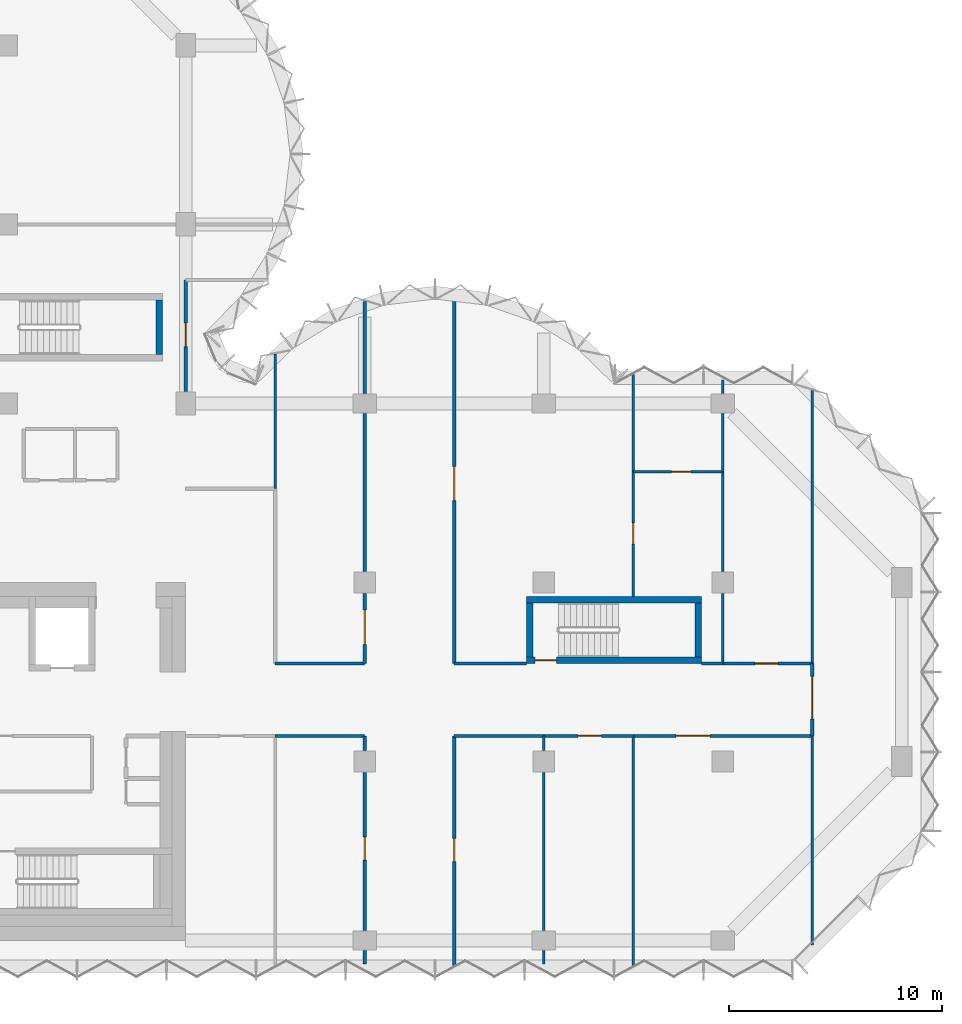
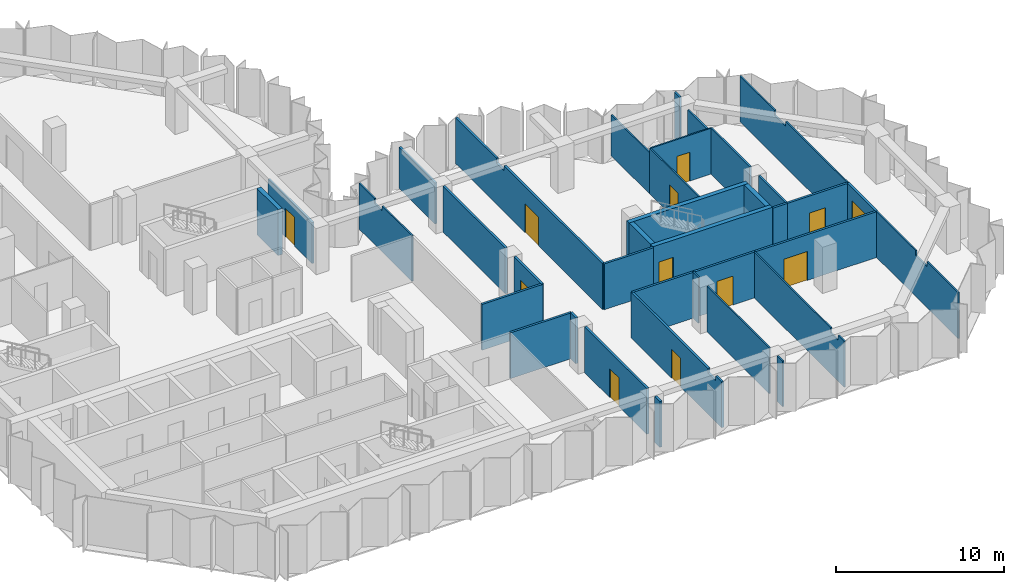
# One storey, part 7 of 10: 37 walls, 12 doors, 12 openings.
"""IFC4 building model written with IfcOpenShell, lengths in metres."""

from ifc_helpers import new_model, si_unit, direction, frame, frame_2d, origin, place, context, subcontext, project, spatial, polyline, rectangle, outline, extrude, material, layer, layer_set, type_object, element, fill, save


model = new_model("IFC4")

# Units and contexts
model_context = context("Model", 3, precision=1e-05, world=origin(), true_north=direction((0.0, 1.0)))
body_context = subcontext(model_context, "Body", "Model", "MODEL_VIEW")
ifc_project = project(units=[si_unit("LENGTHUNIT", "METRE"), si_unit("AREAUNIT", "SQUARE_METRE"), si_unit("VOLUMEUNIT", "CUBIC_METRE"), si_unit("PLANEANGLEUNIT", "RADIAN"), si_unit("MASSUNIT", "GRAM", prefix="KILO")], contexts=[model_context])

# Site, building, storey
site_placement = place(None, origin())
site = spatial("IfcSite", under=ifc_project, at=site_placement, CompositionType="ELEMENT")
building_placement = place(site_placement, origin())
building = spatial("IfcBuilding", under=site, at=building_placement, Name="Brevane Broadcast Tower", CompositionType="ELEMENT")
storey_placement = place(building_placement, frame((0.0, 0.0, 166.800048828125)))
storey = spatial("IfcBuildingStorey", under=building, at=storey_placement, Name="L41", CompositionType="ELEMENT", Elevation=166.800048828125)

# Wall
ifc_material_1 = material(Name="Concrete C60/75", Category="concrete")
ifc_layer_1 = layer(ifc_material_1, 0.300048828125)
ifc_layer_set_1 = layer_set([ifc_layer_1], Name="Core wall 300 mm C60/75")
wall_type_1 = type_object("IfcWallType", Name="Core wall 300 mm C60/75", PredefinedType="SHEAR", material=ifc_layer_set_1)
wall_1_placement = place(storey_placement, frame((23.949951171875, 27.5, 0.0), z_axis=(0.0, 0.0, 1.0), x_axis=(0.0, 1.0, 0.0)))
element("IfcWall", 1, at=wall_1_placement, inside=storey, type_object=wall_type_1, Name="L41 stair wall ST-3-E", PredefinedType="SHEAR", context=body_context, shape_type="SweptSolid", body=[
    extrude(rectangle(XDim=2.550048828125, YDim=0.300048828125, at=frame_2d((1.27490234375, 0.0))), origin(), (0.0, 0.0, 1.0), 3.349853515625),
])

# Wall, opening, door
wall_2_placement = place(storey_placement, frame((49.39990234375, 13.14990234375, 0.0), z_axis=(0.0, 0.0, 1.0), x_axis=(-1.0, 0.0, 0.0)))
wall_2 = element("IfcWall", 2, at=wall_2_placement, inside=storey, type_object=wall_type_1, Name="L41 stair wall ST-4-S", PredefinedType="SHEAR", context=body_context, shape_type="SweptSolid", body=[
    extrude(rectangle(XDim=8.199951171875, YDim=0.300048828125, at=frame_2d((4.10009765625, 0.0))), origin(), (0.0, 0.0, 1.0), 3.349853515625),
])
opening_1_placement = place(wall_2_placement, frame((6.800048828125, 0.0, 0.0)))
opening_1 = element("IfcOpeningElement", 3, at=opening_1_placement, cuts=wall_2, Name="Opening L41-K13", PredefinedType="OPENING", context=body_context, shape_type="SweptSolid", body=[
    extrude(rectangle(XDim=1.0, YDim=2.10009765625, at=frame_2d((0.5, 1.050048828125))), frame((0.0, 0.159912109375, 0.0), z_axis=(0.0, -1.0, 0.0), x_axis=(1.0, 0.0, 0.0)), (0.0, 0.0, 1.0), 0.320068359375),
])
ifc_material_2 = material(Name="Steel", Category="steel")
door_type_1 = type_object("IfcDoorType", Name="Stair door 1000 x 2100", OperationType="SINGLE_SWING_LEFT", PredefinedType="DOOR", material=ifc_material_2)
door_1_placement = place(opening_1_placement, origin())
door_1 = element("IfcDoor", 4, at=door_1_placement, inside=storey, type_object=door_type_1, Name="Door L41-K13", OperationType="SINGLE_SWING_LEFT", OverallHeight=2.10009765625, OverallWidth=1.0, PredefinedType="DOOR", context=body_context, shape_type="SweptSolid", body=[
    extrude(rectangle(XDim=1.0, YDim=2.10009765625, at=frame_2d((0.5, 1.050048828125))), frame((0.0, 0.02490234375, 0.0), z_axis=(0.0, -1.0, 0.0), x_axis=(1.0, 0.0, 0.0)), (0.0, 0.0, 1.0), 0.050048828125),
])
fill(opening_1, door_1)

# Walls
wall_3_placement = place(storey_placement, frame((41.199951171875, 16.0, 0.0), z_axis=(0.0, 0.0, 1.0), x_axis=(1.0, 0.0, 0.0)))
element("IfcWall", 5, at=wall_3_placement, inside=storey, type_object=wall_type_1, Name="L41 stair wall ST-4-N", PredefinedType="SHEAR", context=body_context, shape_type="SweptSolid", body=[
    extrude(rectangle(XDim=8.199951171875, YDim=0.300048828125, at=frame_2d((4.10009765625, 0.0))), origin(), (0.0, 0.0, 1.0), 3.349853515625),
])
for number, where, z_axis, x_axis, name in (
    (6, (41.35009765625, 13.300048828125, 0.0), (0.0, 0.0, 1.0), (0.0, 1.0, 0.0), "L41 stair wall ST-4-W"),
    (7, (49.25, 13.300048828125, 0.0), (0.0, 0.0, 1.0), (0.0, 1.0, 0.0), "L41 stair wall ST-4-E"),
):
    element("IfcWall", number, at=place(storey_placement, frame(where, z_axis=z_axis, x_axis=x_axis)), inside=storey, type_object=wall_type_1, Name=name, PredefinedType="SHEAR", context=body_context, shape_type="SweptSolid", body=[
        extrude(rectangle(XDim=2.550048828125, YDim=0.300048828125, at=frame_2d((1.27490234375, 0.0))), origin(), (0.0, 0.0, 1.0), 3.349853515625),
    ])
ifc_material_3 = material(Name="Gypsum board partition")
ifc_layer_2 = layer(ifc_material_3, 0.10009765625)
ifc_layer_set_2 = layer_set([ifc_layer_2], Name="PARTITION 100 STUD")
wall_type_2 = type_object("IfcWallType", Name="PARTITION 100 STUD", PredefinedType="PARTITIONING", material=ifc_layer_set_2)
wall_4_placement = place(storey_placement, frame((29.39990234375, 27.510986328125, 0.0), z_axis=(0.0, 0.0, 1.0), x_axis=(0.0, -1.0, 0.0)))
element("IfcWall", 8, at=wall_4_placement, inside=storey, type_object=wall_type_2, Name="Partition G12-004", PredefinedType="PARTITIONING", context=body_context, shape_type="SweptSolid", body=[
    extrude(outline(polyline([(0.0, 0.0), (6.31103515625, 0.0), (6.31103515625, 3.329833984375), (2.760986328125, 3.329833984375), (2.759033203125, 2.97998046875), (1.863037109375, 2.97998046875), (1.861083984375, 3.329833984375), (0.236083984375, 3.329833984375), (0.0, 3.329833984375), (0.0, 0.0)])), frame((0.0, 0.050048828125, 0.0), z_axis=(0.0, -1.0, 0.0), x_axis=(1.0, 0.0, 0.0)), (0.0, 0.0, 1.0), 0.10009765625),
])
wall_5_placement = place(storey_placement, frame((54.60009765625, -0.199951171875, 0.0), z_axis=(0.0, 0.0, 1.0), x_axis=(0.0, 1.0, 0.0)))
element("IfcWall", 9, at=wall_5_placement, inside=storey, type_object=wall_type_2, Name="Partition G12-016", PredefinedType="PARTITIONING", context=body_context, shape_type="SweptSolid", body=[
    extrude(outline(polyline([(0.0, 0.0), (9.800048828125, 0.0), (9.800048828125, 3.329833984375), (5.065673828125, 3.329833984375), (5.063720703125, 2.97998046875), (3.736328125, 2.97998046875), (3.734375, 3.329833984375), (0.0, 3.329833984375), (0.0, 0.0)])), frame((0.0, 0.050048828125, 0.0), z_axis=(0.0, -1.0, 0.0), x_axis=(1.0, 0.0, 0.0)), (0.0, 0.0, 1.0), 0.10009765625),
])
wall_6_placement = place(storey_placement, frame((54.60009765625, 13.0, 0.0), z_axis=(0.0, 0.0, 1.0), x_axis=(0.0, 1.0, 0.0)))
element("IfcWall", 10, at=wall_6_placement, inside=storey, type_object=wall_type_2, Name="Partition G12-017", PredefinedType="PARTITIONING", context=body_context, shape_type="SweptSolid", body=[
    extrude(outline(polyline([(0.0, 0.0), (12.805419921875, 0.0), (12.805419921875, 3.329833984375), (12.39990234375, 3.329833984375), (8.665771484375, 3.329833984375), (8.66357421875, 2.97998046875), (7.33642578125, 2.97998046875), (7.334228515625, 3.329833984375), (0.0, 3.329833984375), (0.0, 0.0)])), frame((0.0, 0.050048828125, 0.0), z_axis=(0.0, -1.0, 0.0), x_axis=(1.0, 0.0, 0.0)), (0.0, 0.0, 1.0), 0.10009765625),
])
wall_7_placement = place(storey_placement, frame((42.0, 9.60009765625, 0.0), z_axis=(0.0, 0.0, 1.0), x_axis=(0.0, -1.0, 0.0)))
element("IfcWall", 11, at=wall_7_placement, inside=storey, type_object=wall_type_2, Name="Partition G12-023", PredefinedType="PARTITIONING", context=body_context, shape_type="SweptSolid", body=[
    extrude(rectangle(XDim=0.68017578125, YDim=0.10009765625, at=frame_2d((0.340087890625, 0.0))), origin(), (0.0, 0.0, 1.0), 3.329833984375),
])
wall_8_placement = place(storey_placement, frame((42.0, 7.8798828125, 0.0), z_axis=(0.0, 0.0, 1.0), x_axis=(0.0, -1.0, 0.0)))
element("IfcWall", 12, at=wall_8_placement, inside=storey, type_object=wall_type_2, Name="Partition G12-024", PredefinedType="PARTITIONING", context=body_context, shape_type="SweptSolid", body=[
    extrude(rectangle(XDim=7.409912109375, YDim=0.10009765625, at=frame_2d((3.705078125, 0.0))), origin(), (0.0, 0.0, 1.0), 3.329833984375),
])
wall_9_placement = place(storey_placement, frame((42.0, -0.469970703125, 0.0), z_axis=(0.0, 0.0, 1.0), x_axis=(0.0, -1.0, 0.0)))
element("IfcWall", 13, at=wall_9_placement, inside=storey, type_object=wall_type_2, Name="Partition G12-025", PredefinedType="PARTITIONING", context=body_context, shape_type="SweptSolid", body=[
    extrude(rectangle(XDim=0.630126953125, YDim=0.10009765625, at=frame_2d((0.31494140625, 0.0))), origin(), (0.0, 0.0, 1.0), 3.329833984375),
])
wall_10_placement = place(storey_placement, frame((46.199951171875, 9.60009765625, 0.0), z_axis=(0.0, 0.0, 1.0), x_axis=(0.0, -1.0, 0.0)))
element("IfcWall", 14, at=wall_10_placement, inside=storey, type_object=wall_type_2, Name="Partition G12-026", PredefinedType="PARTITIONING", context=body_context, shape_type="SweptSolid", body=[
    extrude(outline(polyline([(0.0, 0.0), (10.774169921875, 0.0), (10.77392578125, 3.329833984375), (10.699951171875, 3.329833984375), (10.050048828125, 3.329833984375), (10.048095703125, 2.97998046875), (9.152099609375, 2.97998046875), (9.14990234375, 3.329833984375), (0.0, 3.329833984375), (0.0, 0.0)])), frame((0.0, 0.050048828125, 0.0), z_axis=(0.0, -1.0, 0.0), x_axis=(1.0, 0.0, 0.0)), (0.0, 0.0, 1.0), 0.10009765625),
])

# Wall, opening, door
wall_11_placement = place(storey_placement, frame((46.199951171875, 22.0, 0.0), z_axis=(0.0, 0.0, 1.0), x_axis=(0.0, -1.0, 0.0)))
wall_11 = element("IfcWall", 15, at=wall_11_placement, inside=storey, type_object=wall_type_2, Name="Partition G12-031", PredefinedType="PARTITIONING", context=body_context, shape_type="SweptSolid", body=[
    extrude(rectangle(XDim=5.85009765625, YDim=0.10009765625, at=frame_2d((2.925048828125, 0.0))), origin(), (0.0, 0.0, 1.0), 3.329833984375),
])
opening_2_placement = place(wall_11_placement, frame((2.39990234375, 0.0, 0.0)))
opening_2 = element("IfcOpeningElement", 16, at=opening_2_placement, cuts=wall_11, Name="Opening D21-010", PredefinedType="OPENING", context=body_context, shape_type="SweptSolid", body=[
    extrude(rectangle(XDim=1.0, YDim=2.10009765625, at=frame_2d((0.5, 1.050048828125))), frame((0.0, 0.06005859375, 0.0), z_axis=(0.0, -1.0, 0.0), x_axis=(1.0, 0.0, 0.0)), (0.0, 0.0, 1.0), 0.1201171875),
])
ifc_material_4 = material(Name="Timber door leaf", Category="wood")
door_type_2 = type_object("IfcDoorType", Name="DOOR SINGLE 1000 INTERNAL", OperationType="SINGLE_SWING_LEFT", PredefinedType="DOOR", material=ifc_material_4)
door_2_placement = place(opening_2_placement, origin())
door_2 = element("IfcDoor", 17, at=door_2_placement, inside=storey, type_object=door_type_2, Name="Door D21-010", OperationType="SINGLE_SWING_LEFT", OverallHeight=2.10009765625, OverallWidth=1.0, PredefinedType="DOOR", context=body_context, shape_type="SweptSolid", body=[
    extrude(rectangle(XDim=1.0, YDim=2.10009765625, at=frame_2d((0.5, 1.050048828125))), frame((0.0, 0.02490234375, 0.0), z_axis=(0.0, -1.0, 0.0), x_axis=(1.0, 0.0, 0.0)), (0.0, 0.0, 1.0), 0.050048828125),
])
fill(opening_2, door_2)

# Wall
wall_12_placement = place(storey_placement, frame((46.199951171875, 26.56494140625, 0.0), z_axis=(0.0, 0.0, 1.0), x_axis=(0.0, -1.0, 0.0)))
element("IfcWall", 18, at=wall_12_placement, inside=storey, type_object=wall_type_2, Name="Partition G12-032", PredefinedType="PARTITIONING", context=body_context, shape_type="SweptSolid", body=[
    extrude(rectangle(XDim=4.56494140625, YDim=0.10009765625, at=frame_2d((2.282470703125, 0.0))), origin(), (0.0, 0.0, 1.0), 2.97998046875),
])

# Wall, opening, door
wall_13_placement = place(storey_placement, frame((46.199951171875, 22.0, 0.0), z_axis=(0.0, 0.0, 1.0), x_axis=(1.0, 0.0, 0.0)))
wall_13 = element("IfcWall", 19, at=wall_13_placement, inside=storey, type_object=wall_type_2, Name="Partition G12-033", PredefinedType="PARTITIONING", context=body_context, shape_type="SweptSolid", body=[
    extrude(rectangle(XDim=4.199951171875, YDim=0.10009765625, at=frame_2d((2.10009765625, 0.0))), origin(), (0.0, 0.0, 1.0), 3.329833984375),
])
opening_3_placement = place(wall_13_placement, frame((1.800048828125, 0.0, 0.0)))
opening_3 = element("IfcOpeningElement", 20, at=opening_3_placement, cuts=wall_13, Name="Opening D21-011", PredefinedType="OPENING", context=body_context, shape_type="SweptSolid", body=[
    extrude(rectangle(XDim=0.89990234375, YDim=2.10009765625, at=frame_2d((0.449951171875, 1.050048828125))), frame((0.0, 0.06005859375, 0.0), z_axis=(0.0, -1.0, 0.0), x_axis=(1.0, 0.0, 0.0)), (0.0, 0.0, 1.0), 0.1201171875),
])
door_type_3 = type_object("IfcDoorType", Name="DOOR SINGLE 900 INTERNAL", OperationType="SINGLE_SWING_LEFT", PredefinedType="DOOR", material=ifc_material_4)
door_3_placement = place(opening_3_placement, origin())
door_3 = element("IfcDoor", 21, at=door_3_placement, inside=storey, type_object=door_type_3, Name="Door D21-011", OperationType="SINGLE_SWING_LEFT", OverallHeight=2.10009765625, OverallWidth=0.89990234375, PredefinedType="DOOR", context=body_context, shape_type="SweptSolid", body=[
    extrude(rectangle(XDim=0.89990234375, YDim=2.10009765625, at=frame_2d((0.449951171875, 1.050048828125))), frame((0.0, 0.02490234375, 0.0), z_axis=(0.0, -1.0, 0.0), x_axis=(1.0, 0.0, 0.0)), (0.0, 0.0, 1.0), 0.050048828125),
])
fill(opening_3, door_3)

# Walls
ifc_layer_3 = layer(ifc_material_3, 0.125)
ifc_layer_set_3 = layer_set([ifc_layer_3], Name="PARTITION 125 ACOUSTIC")
wall_type_3 = type_object("IfcWallType", Name="PARTITION 125 ACOUSTIC", PredefinedType="PARTITIONING", material=ifc_layer_set_3)
wall_14_placement = place(storey_placement, frame((50.39990234375, 22.0, 0.0), z_axis=(0.0, 0.0, 1.0), x_axis=(0.0, -1.0, 0.0)))
element("IfcWall", 22, at=wall_14_placement, inside=storey, type_object=wall_type_3, Name="Partition G12-034", PredefinedType="PARTITIONING", context=body_context, shape_type="SweptSolid", body=[
    extrude(rectangle(XDim=4.679931640625, YDim=0.125, at=frame_2d((2.33984375, 0.0))), origin(), (0.0, 0.0, 1.0), 3.329833984375),
])
wall_15_placement = place(storey_placement, frame((50.39990234375, 16.280029296875, 0.0), z_axis=(0.0, 0.0, 1.0), x_axis=(0.0, -1.0, 0.0)))
element("IfcWall", 23, at=wall_15_placement, inside=storey, type_object=wall_type_3, Name="Partition G12-035", PredefinedType="PARTITIONING", context=body_context, shape_type="SweptSolid", body=[
    extrude(rectangle(XDim=3.280029296875, YDim=0.125, at=frame_2d((1.64013671875, 0.0))), origin(), (0.0, 0.0, 1.0), 3.329833984375),
])
wall_16_placement = place(storey_placement, frame((50.39990234375, 26.300048828125, 0.0), z_axis=(0.0, 0.0, 1.0), x_axis=(0.0, -1.0, 0.0)))
element("IfcWall", 24, at=wall_16_placement, inside=storey, type_object=wall_type_3, Name="Partition G12-036", PredefinedType="PARTITIONING", context=body_context, shape_type="SweptSolid", body=[
    extrude(rectangle(XDim=0.630126953125, YDim=0.125, at=frame_2d((0.31494140625, 0.0))), origin(), (0.0, 0.0, 1.0), 3.329833984375),
])
wall_17_placement = place(storey_placement, frame((50.39990234375, 24.72998046875, 0.0), z_axis=(0.0, 0.0, 1.0), x_axis=(0.0, -1.0, 0.0)))
element("IfcWall", 25, at=wall_17_placement, inside=storey, type_object=wall_type_3, Name="Partition G12-037", PredefinedType="PARTITIONING", context=body_context, shape_type="SweptSolid", body=[
    extrude(rectangle(XDim=2.72998046875, YDim=0.125, at=frame_2d((1.364990234375, 0.0))), origin(), (0.0, 0.0, 1.0), 2.97998046875),
])

# Wall, opening, door
ifc_layer_4 = layer(ifc_material_3, 0.14990234375)
ifc_layer_set_4 = layer_set([ifc_layer_4], Name="PARTITION 150 EI 60")
wall_type_4 = type_object("IfcWallType", Name="PARTITION 150 EI 60", PredefinedType="PARTITIONING", material=ifc_layer_set_4)
wall_18_placement = place(storey_placement, frame((25.199951171875, 31.0, 0.0), z_axis=(0.0, 0.0, 1.0), x_axis=(0.0, -1.0, 0.0)))
wall_18 = element("IfcWall", 26, at=wall_18_placement, inside=storey, type_object=wall_type_4, Name="Partition G12-005", PredefinedType="PARTITIONING", context=body_context, shape_type="SweptSolid", body=[
    extrude(outline(polyline([(0.0, 0.0), (5.22998046875, 0.0), (5.22998046875, 2.97998046875), (0.0, 2.97998046875), (0.0, 0.0)])), frame((0.0, 0.074951171875, 0.0), z_axis=(0.0, -1.0, 0.0), x_axis=(1.0, 0.0, 0.0)), (0.0, 0.0, 1.0), 0.14990234375),
])
opening_4_placement = place(wall_18_placement, frame((2.030029296875, 0.0, 0.0)))
opening_4 = element("IfcOpeningElement", 27, at=opening_4_placement, cuts=wall_18, Name="Opening D21-001", PredefinedType="OPENING", context=body_context, shape_type="SweptSolid", body=[
    extrude(rectangle(XDim=1.10009765625, YDim=2.10009765625, at=frame_2d((0.550048828125, 1.050048828125))), frame((0.0, 0.0849609375, 0.0), z_axis=(0.0, -1.0, 0.0), x_axis=(1.0, 0.0, 0.0)), (0.0, 0.0, 1.0), 0.169921875),
])
ifc_material_5 = material(Name="Fire-rated timber door leaf", Category="wood")
door_type_4 = type_object("IfcDoorType", Name="DOOR SINGLE 1100 FD30S", OperationType="SINGLE_SWING_LEFT", PredefinedType="DOOR", material=ifc_material_5)
door_4_placement = place(opening_4_placement, origin())
door_4 = element("IfcDoor", 28, at=door_4_placement, inside=storey, type_object=door_type_4, Name="Door D21-001", OperationType="SINGLE_SWING_RIGHT", OverallHeight=2.10009765625, OverallWidth=1.10009765625, PredefinedType="DOOR", context=body_context, shape_type="SweptSolid", body=[
    extrude(rectangle(XDim=1.10009765625, YDim=2.10009765625, at=frame_2d((0.550048828125, 1.050048828125))), frame((0.0, 0.02490234375, 0.0), z_axis=(0.0, -1.0, 0.0), x_axis=(1.0, 0.0, 0.0)), (0.0, 0.0, 1.0), 0.050048828125),
])
fill(opening_4, door_4)

wall_19_placement = place(storey_placement, frame((54.60009765625, 13.0, 0.0), z_axis=(0.0, 0.0, 1.0), x_axis=(0.0, -1.0, 0.0)))
wall_19 = element("IfcWall", 29, at=wall_19_placement, inside=storey, type_object=wall_type_4, Name="Partition G12-007", PredefinedType="PARTITIONING", context=body_context, shape_type="SweptSolid", body=[
    extrude(rectangle(XDim=3.39990234375, YDim=0.14990234375, at=frame_2d((1.699951171875, 0.0))), origin(), (0.0, 0.0, 1.0), 3.329833984375),
])
opening_5_placement = place(wall_19_placement, frame((0.60009765625, 0.0, 0.0)))
opening_5 = element("IfcOpeningElement", 30, at=opening_5_placement, cuts=wall_19, Name="Opening D21-002", PredefinedType="OPENING", context=body_context, shape_type="SweptSolid", body=[
    extrude(rectangle(XDim=2.0, YDim=2.39990234375, at=frame_2d((1.0, 1.199951171875))), frame((0.0, 0.0849609375, 0.0), z_axis=(0.0, -1.0, 0.0), x_axis=(1.0, 0.0, 0.0)), (0.0, 0.0, 1.0), 0.169921875),
])
door_type_5 = type_object("IfcDoorType", Name="DOOR DOUBLE 2000 FD30S", OperationType="DOUBLE_DOOR_SINGLE_SWING", PredefinedType="DOOR", material=ifc_material_5)
door_5_placement = place(opening_5_placement, origin())
door_5 = element("IfcDoor", 31, at=door_5_placement, inside=storey, type_object=door_type_5, Name="Door D21-002", OperationType="DOUBLE_DOOR_SINGLE_SWING", OverallHeight=2.39990234375, OverallWidth=2.0, PredefinedType="DOOR", context=body_context, shape_type="SweptSolid", body=[
    extrude(rectangle(XDim=2.0, YDim=2.39990234375, at=frame_2d((1.0, 1.199951171875))), frame((0.0, 0.02490234375, 0.0), z_axis=(0.0, -1.0, 0.0), x_axis=(1.0, 0.0, 0.0)), (0.0, 0.0, 1.0), 0.050048828125),
])
fill(opening_5, door_5)

# Walls
wall_20_placement = place(storey_placement, frame((33.60009765625, 9.60009765625, 0.0), z_axis=(0.0, 0.0, 1.0), x_axis=(-1.0, 0.0, 0.0)))
element("IfcWall", 32, at=wall_20_placement, inside=storey, type_object=wall_type_4, Name="Partition G12-008", PredefinedType="PARTITIONING", context=body_context, shape_type="SweptSolid", body=[
    extrude(rectangle(XDim=4.2001953125, YDim=0.14990234375, at=frame_2d((2.10009765625, 0.0))), origin(), (0.0, 0.0, 1.0), 3.329833984375),
])
wall_21_placement = place(storey_placement, frame((42.0, 9.60009765625, 0.0), z_axis=(0.0, 0.0, 1.0), x_axis=(-1.0, 0.0, 0.0)))
element("IfcWall", 33, at=wall_21_placement, inside=storey, type_object=wall_type_4, Name="Partition G12-009", PredefinedType="PARTITIONING", context=body_context, shape_type="SweptSolid", body=[
    extrude(rectangle(XDim=4.199951171875, YDim=0.14990234375, at=frame_2d((2.10009765625, 0.0))), origin(), (0.0, 0.0, 1.0), 3.329833984375),
])

# Wall, opening, door
wall_22_placement = place(storey_placement, frame((46.199951171875, 9.60009765625, 0.0), z_axis=(0.0, 0.0, 1.0), x_axis=(-1.0, 0.0, 0.0)))
wall_22 = element("IfcWall", 34, at=wall_22_placement, inside=storey, type_object=wall_type_4, Name="Partition G12-010", PredefinedType="PARTITIONING", context=body_context, shape_type="SweptSolid", body=[
    extrude(rectangle(XDim=4.199951171875, YDim=0.14990234375, at=frame_2d((2.10009765625, 0.0))), origin(), (0.0, 0.0, 1.0), 3.329833984375),
])
opening_6_placement = place(wall_22_placement, frame((1.5, 0.0, 0.0)))
opening_6 = element("IfcOpeningElement", 35, at=opening_6_placement, cuts=wall_22, Name="Opening D21-006", PredefinedType="OPENING", context=body_context, shape_type="SweptSolid", body=[
    extrude(rectangle(XDim=1.10009765625, YDim=2.10009765625, at=frame_2d((0.550048828125, 1.050048828125))), frame((0.0, 0.0849609375, 0.0), z_axis=(0.0, -1.0, 0.0), x_axis=(1.0, 0.0, 0.0)), (0.0, 0.0, 1.0), 0.169921875),
])
door_6_placement = place(opening_6_placement, origin())
door_6 = element("IfcDoor", 36, at=door_6_placement, inside=storey, type_object=door_type_4, Name="Door D21-006", OperationType="SINGLE_SWING_LEFT", OverallHeight=2.10009765625, OverallWidth=1.10009765625, PredefinedType="DOOR", context=body_context, shape_type="SweptSolid", body=[
    extrude(rectangle(XDim=1.10009765625, YDim=2.10009765625, at=frame_2d((0.550048828125, 1.050048828125))), frame((0.0, 0.02490234375, 0.0), z_axis=(0.0, -1.0, 0.0), x_axis=(1.0, 0.0, 0.0)), (0.0, 0.0, 1.0), 0.050048828125),
])
fill(opening_6, door_6)

wall_23_placement = place(storey_placement, frame((54.60009765625, 9.60009765625, 0.0), z_axis=(0.0, 0.0, 1.0), x_axis=(-1.0, 0.0, 0.0)))
wall_23 = element("IfcWall", 37, at=wall_23_placement, inside=storey, type_object=wall_type_4, Name="Partition G12-011", PredefinedType="PARTITIONING", context=body_context, shape_type="SweptSolid", body=[
    extrude(rectangle(XDim=8.400146484375, YDim=0.14990234375, at=frame_2d((4.2001953125, 0.0))), origin(), (0.0, 0.0, 1.0), 3.329833984375),
])
opening_7_placement = place(wall_23_placement, frame((4.800048828125, 0.0, 0.0)))
opening_7 = element("IfcOpeningElement", 38, at=opening_7_placement, cuts=wall_23, Name="Opening D21-007", PredefinedType="OPENING", context=body_context, shape_type="SweptSolid", body=[
    extrude(rectangle(XDim=1.60009765625, YDim=2.10009765625, at=frame_2d((0.800048828125, 1.050048828125))), frame((0.0, 0.0849609375, 0.0), z_axis=(0.0, -1.0, 0.0), x_axis=(1.0, 0.0, 0.0)), (0.0, 0.0, 1.0), 0.169921875),
])
door_type_6 = type_object("IfcDoorType", Name="DOOR DOUBLE 1600 FD30S", OperationType="DOUBLE_DOOR_SINGLE_SWING", PredefinedType="DOOR", material=ifc_material_5)
door_7_placement = place(opening_7_placement, origin())
door_7 = element("IfcDoor", 39, at=door_7_placement, inside=storey, type_object=door_type_6, Name="Door D21-007", OperationType="DOUBLE_DOOR_SINGLE_SWING", OverallHeight=2.10009765625, OverallWidth=1.60009765625, PredefinedType="DOOR", context=body_context, shape_type="SweptSolid", body=[
    extrude(rectangle(XDim=1.60009765625, YDim=2.10009765625, at=frame_2d((0.800048828125, 1.050048828125))), frame((0.0, 0.02490234375, 0.0), z_axis=(0.0, -1.0, 0.0), x_axis=(1.0, 0.0, 0.0)), (0.0, 0.0, 1.0), 0.050048828125),
])
fill(opening_7, door_7)

# Walls
wall_24_placement = place(storey_placement, frame((29.39990234375, 13.0, 0.0), z_axis=(0.0, 0.0, 1.0), x_axis=(1.0, 0.0, 0.0)))
element("IfcWall", 40, at=wall_24_placement, inside=storey, type_object=wall_type_4, Name="Partition G12-012", PredefinedType="PARTITIONING", context=body_context, shape_type="SweptSolid", body=[
    extrude(rectangle(XDim=4.2001953125, YDim=0.14990234375, at=frame_2d((2.10009765625, 0.0))), origin(), (0.0, 0.0, 1.0), 3.329833984375),
])
wall_25_placement = place(storey_placement, frame((37.800048828125, 13.0, 0.0), z_axis=(0.0, 0.0, 1.0), x_axis=(1.0, 0.0, 0.0)))
element("IfcWall", 41, at=wall_25_placement, inside=storey, type_object=wall_type_4, Name="Partition G12-013", PredefinedType="PARTITIONING", context=body_context, shape_type="SweptSolid", body=[
    extrude(rectangle(XDim=3.39990234375, YDim=0.14990234375, at=frame_2d((1.699951171875, 0.0))), origin(), (0.0, 0.0, 1.0), 3.329833984375),
])
wall_26_placement = place(storey_placement, frame((49.39990234375, 13.0, 0.0), z_axis=(0.0, 0.0, 1.0), x_axis=(1.0, 0.0, 0.0)))
element("IfcWall", 42, at=wall_26_placement, inside=storey, type_object=wall_type_4, Name="Partition G12-014", PredefinedType="PARTITIONING", context=body_context, shape_type="SweptSolid", body=[
    extrude(rectangle(XDim=1.0, YDim=0.14990234375, at=frame_2d((0.5, 0.0))), origin(), (0.0, 0.0, 1.0), 3.329833984375),
])

# Wall, opening, door
wall_27_placement = place(storey_placement, frame((50.39990234375, 13.0, 0.0), z_axis=(0.0, 0.0, 1.0), x_axis=(1.0, 0.0, 0.0)))
wall_27 = element("IfcWall", 43, at=wall_27_placement, inside=storey, type_object=wall_type_4, Name="Partition G12-015", PredefinedType="PARTITIONING", context=body_context, shape_type="SweptSolid", body=[
    extrude(rectangle(XDim=4.2001953125, YDim=0.14990234375, at=frame_2d((2.10009765625, 0.0))), origin(), (0.0, 0.0, 1.0), 3.329833984375),
])
opening_8_placement = place(wall_27_placement, frame((1.5, 0.0, 0.0)))
opening_8 = element("IfcOpeningElement", 44, at=opening_8_placement, cuts=wall_27, Name="Opening D21-012", PredefinedType="OPENING", context=body_context, shape_type="SweptSolid", body=[
    extrude(rectangle(XDim=1.10009765625, YDim=2.10009765625, at=frame_2d((0.550048828125, 1.050048828125))), frame((0.0, 0.0849609375, 0.0), z_axis=(0.0, -1.0, 0.0), x_axis=(1.0, 0.0, 0.0)), (0.0, 0.0, 1.0), 0.169921875),
])
door_8_placement = place(opening_8_placement, origin())
door_8 = element("IfcDoor", 45, at=door_8_placement, inside=storey, type_object=door_type_4, Name="Door D21-012", OperationType="SINGLE_SWING_LEFT", OverallHeight=2.10009765625, OverallWidth=1.10009765625, PredefinedType="DOOR", context=body_context, shape_type="SweptSolid", body=[
    extrude(rectangle(XDim=1.10009765625, YDim=2.10009765625, at=frame_2d((0.550048828125, 1.050048828125))), frame((0.0, 0.02490234375, 0.0), z_axis=(0.0, -1.0, 0.0), x_axis=(1.0, 0.0, 0.0)), (0.0, 0.0, 1.0), 0.050048828125),
])
fill(opening_8, door_8)

# Wall
wall_28_placement = place(storey_placement, frame((33.60009765625, -1.10009765625, 0.0), z_axis=(0.0, 0.0, 1.0), x_axis=(0.0, 1.0, 0.0)))
element("IfcWall", 46, at=wall_28_placement, inside=storey, type_object=wall_type_4, Name="Partition G12-018", PredefinedType="PARTITIONING", context=body_context, shape_type="SweptSolid", body=[
    extrude(rectangle(XDim=0.630126953125, YDim=0.14990234375, at=frame_2d((0.31494140625, 0.0))), origin(), (0.0, 0.0, 1.0), 3.329833984375),
])

# Wall, opening, door
wall_29_placement = place(storey_placement, frame((33.60009765625, 0.469970703125, 0.0), z_axis=(0.0, 0.0, 1.0), x_axis=(0.0, 1.0, 0.0)))
wall_29 = element("IfcWall", 47, at=wall_29_placement, inside=storey, type_object=wall_type_4, Name="Partition G12-019", PredefinedType="PARTITIONING", context=body_context, shape_type="SweptSolid", body=[
    extrude(rectangle(XDim=7.409912109375, YDim=0.14990234375, at=frame_2d((3.705078125, 0.0))), origin(), (0.0, 0.0, 1.0), 3.329833984375),
])
opening_9_placement = place(wall_29_placement, frame((3.300048828125, 0.0, 0.0)))
opening_9 = element("IfcOpeningElement", 48, at=opening_9_placement, cuts=wall_29, Name="Opening D21-004", PredefinedType="OPENING", context=body_context, shape_type="SweptSolid", body=[
    extrude(rectangle(XDim=1.10009765625, YDim=2.10009765625, at=frame_2d((0.550048828125, 1.050048828125))), frame((0.0, 0.0849609375, 0.0), z_axis=(0.0, -1.0, 0.0), x_axis=(1.0, 0.0, 0.0)), (0.0, 0.0, 1.0), 0.169921875),
])
door_9_placement = place(opening_9_placement, origin())
door_9 = element("IfcDoor", 49, at=door_9_placement, inside=storey, type_object=door_type_4, Name="Door D21-004", OperationType="SINGLE_SWING_LEFT", OverallHeight=2.10009765625, OverallWidth=1.10009765625, PredefinedType="DOOR", context=body_context, shape_type="SweptSolid", body=[
    extrude(rectangle(XDim=1.10009765625, YDim=2.10009765625, at=frame_2d((0.550048828125, 1.050048828125))), frame((0.0, 0.02490234375, 0.0), z_axis=(0.0, -1.0, 0.0), x_axis=(1.0, 0.0, 0.0)), (0.0, 0.0, 1.0), 0.050048828125),
])
fill(opening_9, door_9)

# Wall
wall_30_placement = place(storey_placement, frame((33.60009765625, 8.919921875, 0.0), z_axis=(0.0, 0.0, 1.0), x_axis=(0.0, 1.0, 0.0)))
element("IfcWall", 50, at=wall_30_placement, inside=storey, type_object=wall_type_4, Name="Partition G12-020", PredefinedType="PARTITIONING", context=body_context, shape_type="SweptSolid", body=[
    extrude(rectangle(XDim=0.68017578125, YDim=0.14990234375, at=frame_2d((0.340087890625, 0.0))), origin(), (0.0, 0.0, 1.0), 3.329833984375),
])

# Wall, opening, door
wall_31_placement = place(storey_placement, frame((37.800048828125, 9.60009765625, 0.0), z_axis=(0.0, 0.0, 1.0), x_axis=(0.0, -1.0, 0.0)))
wall_31 = element("IfcWall", 51, at=wall_31_placement, inside=storey, type_object=wall_type_4, Name="Partition G12-021", PredefinedType="PARTITIONING", context=body_context, shape_type="SweptSolid", body=[
    extrude(outline(polyline([(0.0, 0.0), (10.774169921875, 0.0), (10.77392578125, 3.329833984375), (10.699951171875, 3.329833984375), (10.050048828125, 3.329833984375), (10.048095703125, 2.97998046875), (9.152099609375, 2.97998046875), (9.14990234375, 3.329833984375), (0.0, 3.329833984375), (0.0, 0.0)])), frame((0.0, 0.074951171875, 0.0), z_axis=(0.0, -1.0, 0.0), x_axis=(1.0, 0.0, 0.0)), (0.0, 0.0, 1.0), 0.14990234375),
])
opening_10_placement = place(wall_31_placement, frame((4.800048828125, 0.0, 0.0)))
opening_10 = element("IfcOpeningElement", 52, at=opening_10_placement, cuts=wall_31, Name="Opening D21-005", PredefinedType="OPENING", context=body_context, shape_type="SweptSolid", body=[
    extrude(rectangle(XDim=1.10009765625, YDim=2.10009765625, at=frame_2d((0.550048828125, 1.050048828125))), frame((0.0, 0.0849609375, 0.0), z_axis=(0.0, -1.0, 0.0), x_axis=(1.0, 0.0, 0.0)), (0.0, 0.0, 1.0), 0.169921875),
])
door_10_placement = place(opening_10_placement, origin())
door_10 = element("IfcDoor", 53, at=door_10_placement, inside=storey, type_object=door_type_4, Name="Door D21-005", OperationType="SINGLE_SWING_LEFT", OverallHeight=2.10009765625, OverallWidth=1.10009765625, PredefinedType="DOOR", context=body_context, shape_type="SweptSolid", body=[
    extrude(rectangle(XDim=1.10009765625, YDim=2.10009765625, at=frame_2d((0.550048828125, 1.050048828125))), frame((0.0, 0.02490234375, 0.0), z_axis=(0.0, -1.0, 0.0), x_axis=(1.0, 0.0, 0.0)), (0.0, 0.0, 1.0), 0.050048828125),
])
fill(opening_10, door_10)

wall_32_placement = place(storey_placement, frame((33.60009765625, 13.0, 0.0), z_axis=(0.0, 0.0, 1.0), x_axis=(0.0, 1.0, 0.0)))
wall_32 = element("IfcWall", 54, at=wall_32_placement, inside=storey, type_object=wall_type_4, Name="Partition G12-027", PredefinedType="PARTITIONING", context=body_context, shape_type="SweptSolid", body=[
    extrude(rectangle(XDim=3.280029296875, YDim=0.14990234375, at=frame_2d((1.64013671875, 0.0))), origin(), (0.0, 0.0, 1.0), 3.329833984375),
])
opening_11_placement = place(wall_32_placement, frame((0.89990234375, 0.0, 0.0)))
opening_11 = element("IfcOpeningElement", 55, at=opening_11_placement, cuts=wall_32, Name="Opening D21-008", PredefinedType="OPENING", context=body_context, shape_type="SweptSolid", body=[
    extrude(rectangle(XDim=1.60009765625, YDim=2.10009765625, at=frame_2d((0.800048828125, 1.050048828125))), frame((0.0, 0.0849609375, 0.0), z_axis=(0.0, -1.0, 0.0), x_axis=(1.0, 0.0, 0.0)), (0.0, 0.0, 1.0), 0.169921875),
])
door_11_placement = place(opening_11_placement, origin())
door_11 = element("IfcDoor", 56, at=door_11_placement, inside=storey, type_object=door_type_6, Name="Door D21-008", OperationType="DOUBLE_DOOR_SINGLE_SWING", OverallHeight=2.10009765625, OverallWidth=1.60009765625, PredefinedType="DOOR", context=body_context, shape_type="SweptSolid", body=[
    extrude(rectangle(XDim=1.60009765625, YDim=2.10009765625, at=frame_2d((0.800048828125, 1.050048828125))), frame((0.0, 0.02490234375, 0.0), z_axis=(0.0, -1.0, 0.0), x_axis=(1.0, 0.0, 0.0)), (0.0, 0.0, 1.0), 0.050048828125),
])
fill(opening_11, door_11)

# Walls
wall_33_placement = place(storey_placement, frame((33.60009765625, 17.320068359375, 0.0), z_axis=(0.0, 0.0, 1.0), x_axis=(0.0, 1.0, 0.0)))
element("IfcWall", 57, at=wall_33_placement, inside=storey, type_object=wall_type_4, Name="Partition G12-028", PredefinedType="PARTITIONING", context=body_context, shape_type="SweptSolid", body=[
    extrude(rectangle(XDim=7.409912109375, YDim=0.14990234375, at=frame_2d((3.705078125, 0.0))), origin(), (0.0, 0.0, 1.0), 3.329833984375),
])
wall_34_placement = place(storey_placement, frame((33.60009765625, 25.669921875, 0.0), z_axis=(0.0, 0.0, 1.0), x_axis=(0.0, 1.0, 0.0)))
element("IfcWall", 58, at=wall_34_placement, inside=storey, type_object=wall_type_4, Name="Partition G12-029", PredefinedType="PARTITIONING", context=body_context, shape_type="SweptSolid", body=[
    extrude(rectangle(XDim=4.318359375, YDim=0.14990234375, at=frame_2d((2.1591796875, 0.0))), origin(), (0.0, 0.0, 1.0), 2.97998046875),
])

# Wall, opening, door
wall_35_placement = place(storey_placement, frame((37.800048828125, 30.52587890625, 0.0), z_axis=(0.0, 0.0, 1.0), x_axis=(0.0, -1.0, 0.0)))
wall_35 = element("IfcWall", 59, at=wall_35_placement, inside=storey, type_object=wall_type_4, Name="Partition G12-030", PredefinedType="PARTITIONING", context=body_context, shape_type="SweptSolid", body=[
    extrude(outline(polyline([(0.0, 0.0), (17.52587890625, 0.0), (17.52587890625, 3.329833984375), (5.77587890625, 3.329833984375), (5.77392578125, 2.97998046875), (4.8779296875, 2.97998046875), (4.8759765625, 3.329833984375), (0.283203125, 3.329833984375), (0.0, 3.329833984375), (0.0, 0.0)])), frame((0.0, 0.074951171875, 0.0), z_axis=(0.0, -1.0, 0.0), x_axis=(1.0, 0.0, 0.0)), (0.0, 0.0, 1.0), 0.14990234375),
])
opening_12_placement = place(wall_35_placement, frame((8.283203125, 0.0, 0.0)))
opening_12 = element("IfcOpeningElement", 60, at=opening_12_placement, cuts=wall_35, Name="Opening D21-009", PredefinedType="OPENING", context=body_context, shape_type="SweptSolid", body=[
    extrude(rectangle(XDim=1.60009765625, YDim=2.10009765625, at=frame_2d((0.800048828125, 1.050048828125))), frame((0.0, 0.0849609375, 0.0), z_axis=(0.0, -1.0, 0.0), x_axis=(1.0, 0.0, 0.0)), (0.0, 0.0, 1.0), 0.169921875),
])
door_12_placement = place(opening_12_placement, origin())
door_12 = element("IfcDoor", 61, at=door_12_placement, inside=storey, type_object=door_type_6, Name="Door D21-009", OperationType="DOUBLE_DOOR_SINGLE_SWING", OverallHeight=2.10009765625, OverallWidth=1.60009765625, PredefinedType="DOOR", context=body_context, shape_type="SweptSolid", body=[
    extrude(rectangle(XDim=1.60009765625, YDim=2.10009765625, at=frame_2d((0.800048828125, 1.050048828125))), frame((0.0, 0.02490234375, 0.0), z_axis=(0.0, -1.0, 0.0), x_axis=(1.0, 0.0, 0.0)), (0.0, 0.0, 1.0), 0.050048828125),
])
fill(opening_12, door_12)

save(model, "model.ifc")
